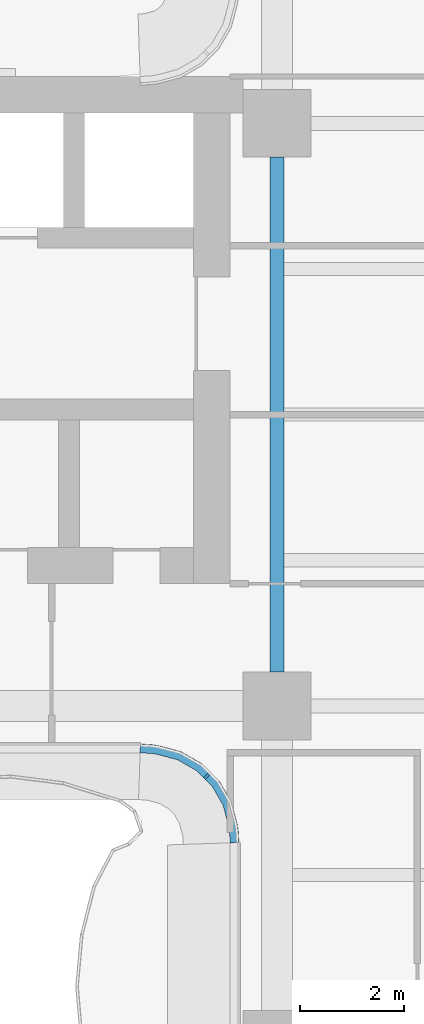
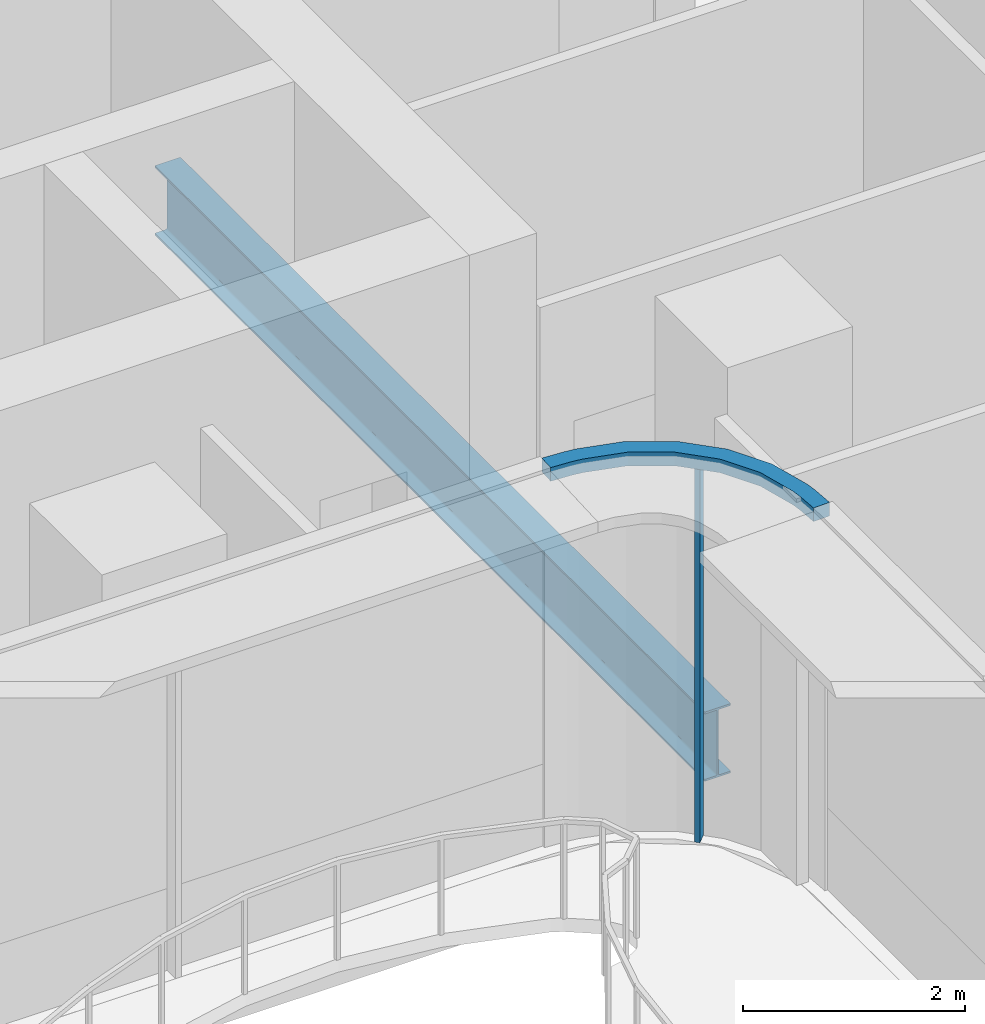
# One storey, part 4 of 20: 2 members, 1 beam, 1 element without a shape of its own.
"""IFC4 building model written with IfcOpenShell, lengths in metres."""

from ifc_helpers import new_model, si_unit, direction, frame, origin, origin_2d, place, context, subcontext, project, spatial, polyline, rectangle, i_section, outline, extrude, source, transform, mapped, material, layer, layer_set, material_profile, profile_set, type_object, element, aggregate, save


model = new_model("IFC4")

# Units and contexts
model_context = context("Model", 3, precision=1e-05, world=origin(), true_north=direction((0.0, 1.0)))
body_context = subcontext(model_context, "Body", "Model", "MODEL_VIEW")
ifc_project = project(units=[si_unit("LENGTHUNIT", "METRE"), si_unit("AREAUNIT", "SQUARE_METRE"), si_unit("VOLUMEUNIT", "CUBIC_METRE"), si_unit("PLANEANGLEUNIT", "RADIAN"), si_unit("MASSUNIT", "GRAM", prefix="KILO")], contexts=[model_context])

# Site, building, storey
site_placement = place(None, origin())
site = spatial("IfcSite", under=ifc_project, at=site_placement, CompositionType="ELEMENT")
building_placement = place(site_placement, origin())
building = spatial("IfcBuilding", under=site, at=building_placement, Name="Trellis Farm Tower", CompositionType="ELEMENT")
storey_placement = place(building_placement, frame((0.0, 0.0, 129.0)))
storey = spatial("IfcBuildingStorey", under=building, at=storey_placement, Name="L27", CompositionType="ELEMENT", Elevation=129.0)

# Beam
ifc_material_1 = material(Name="Steel S355", Category="steel")
ifc_material_profile_1 = material_profile(ifc_material_1, i_section(OverallWidth=0.2666015625, OverallDepth=0.76220703125, WebThickness=0.014404296875, FlangeThickness=0.021484375, FilletRadius=0.0166015625, at=origin_2d()), Name="UB 762x267x173")
ifc_profile_set_1 = profile_set([ifc_material_profile_1], Name="Steel S355")
beam_type = type_object("IfcBeamType", Name="UB 762x267x173", PredefinedType="BEAM", material=ifc_profile_set_1)
shared_shape_1 = source(origin(), body_context, "Body", "SweptSolid", [
    extrude(i_section(OverallWidth=0.2666015625, OverallDepth=0.76220703125, WebThickness=0.014404296875, FlangeThickness=0.021484375, FilletRadius=0.0166015625, at=origin_2d()), origin(), (0.0, 0.0, 1.0), 9.89990234375),
])
beam_placement = place(storey_placement, frame((-5.60009765625, -4.949951171875, -0.631103515625), z_axis=(0.0, 1.0, 0.0), x_axis=(-1.0, 0.0, 0.0)))
element("IfcBeam", 1, at=beam_placement, inside=storey, type_object=beam_type, Name="Girder", PredefinedType="BEAM", context=body_context, shape_type="MappedRepresentation", body=[
    mapped(shared_shape_1, transform((0.0, 0.0, 0.0))),
])

# Curtain wall, members
ifc_material_2 = material(Name="Aluminium and glass curtain wall", Category="aluminium")
ifc_layer_1 = layer(ifc_material_2, 0.166015625)
ifc_layer_set_1 = layer_set([ifc_layer_1], Name="WINTER GARDEN CURTAIN WALL CW3")
curtain_wall_type = type_object("IfcCurtainWallType", Name="WINTER GARDEN CURTAIN WALL CW3", PredefinedType="NOTDEFINED", material=ifc_layer_set_1)
curtain_wall_placement = place(storey_placement, origin())
curtain_wall = element("IfcCurtainWall", 2, at=curtain_wall_placement, inside=storey, type_object=curtain_wall_type, Name="CW3 001", PredefinedType="NOTDEFINED")
ifc_material_3 = material(Name="Aluminium extrusion 6063-T6", Category="aluminium")
ifc_material_profile_2 = material_profile(ifc_material_3, rectangle(XDim=0.050048828125, YDim=0.1201171875, at=origin_2d()), Name="MULLION 50x120")
ifc_profile_set_2 = profile_set([ifc_material_profile_2], Name="Aluminium extrusion 6063-T6")
member_type_1 = type_object("IfcMemberType", Name="CW3 MULLION 50x120", PredefinedType="MULLION", material=ifc_profile_set_2)
shared_shape_2 = source(origin(), body_context, "Body", "SweptSolid", [
    extrude(rectangle(XDim=0.050048828125, YDim=0.1201171875, at=origin_2d()), origin(), (0.0, 0.0, 1.0), 4.10009765625),
])
member_1_placement = place(storey_placement, frame((-6.953125, -6.953125, 0.0), z_axis=(0.0, 0.0, 1.0), x_axis=(0.707106781187, -0.707106781187, 0.0)))
member_1 = element("IfcMember", 3, at=member_1_placement, type_object=member_type_1, Name="MU3 001-01", PredefinedType="MULLION", context=body_context, shape_type="MappedRepresentation", body=[
    mapped(shared_shape_2, transform((0.0, 0.0, 0.0))),
])
ifc_layer_2 = layer(ifc_material_3, 0.169921875)
ifc_layer_set_2 = layer_set([ifc_layer_2], Name="Aluminium extrusion 6063-T6")
member_type_2 = type_object("IfcMemberType", Name="CW3 TRANSOM 170x150", PredefinedType="USERDEFINED", material=ifc_layer_set_2)
shared_shape_3 = source(origin(), body_context, "Body", "SweptSolid", [
    extrude(outline(polyline([(-8.2314453125, -6.5), (-8.01953125, -6.513916015625), (-7.91552734375, -6.527587890625), (-7.508544921875, -6.63671875), (-7.144287109375, -6.846923828125), (-6.846923828125, -7.144287109375), (-6.63671875, -7.508544921875), (-6.527587890625, -7.91552734375), (-6.513916015625, -8.01953125), (-6.5, -8.2314453125), (-6.330078125, -8.225830078125), (-6.3447265625, -8.0029296875), (-6.360595703125, -7.88232421875), (-6.478271484375, -7.44287109375), (-6.7109375, -7.0400390625), (-7.0400390625, -6.7109375), (-7.44287109375, -6.478271484375), (-7.88232421875, -6.360595703125), (-8.0029296875, -6.3447265625), (-8.225830078125, -6.330078125), (-8.2314453125, -6.5)])), origin(), (0.0, 0.0, 1.0), 0.14990234375),
])
member_2_placement = place(storey_placement, frame((0.0, 0.0, 4.10009765625)))
member_2 = element("IfcMember", 4, at=member_2_placement, type_object=member_type_2, Name="TR3 001", ObjectType="TRANSOM", PredefinedType="USERDEFINED", context=body_context, shape_type="MappedRepresentation", body=[
    mapped(shared_shape_3, transform((0.0, 0.0, 0.0))),
])
aggregate(curtain_wall, [member_1, member_2])

save(model, "model.ifc")
